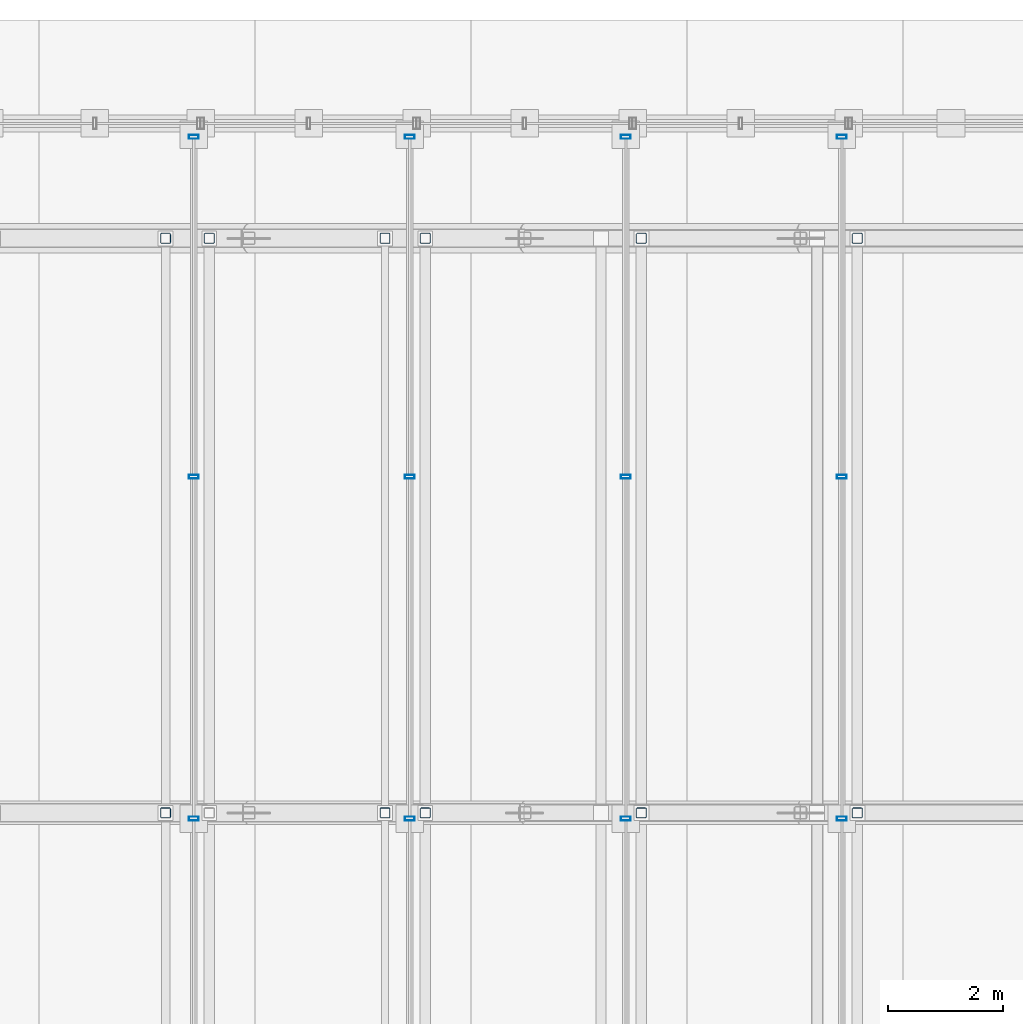
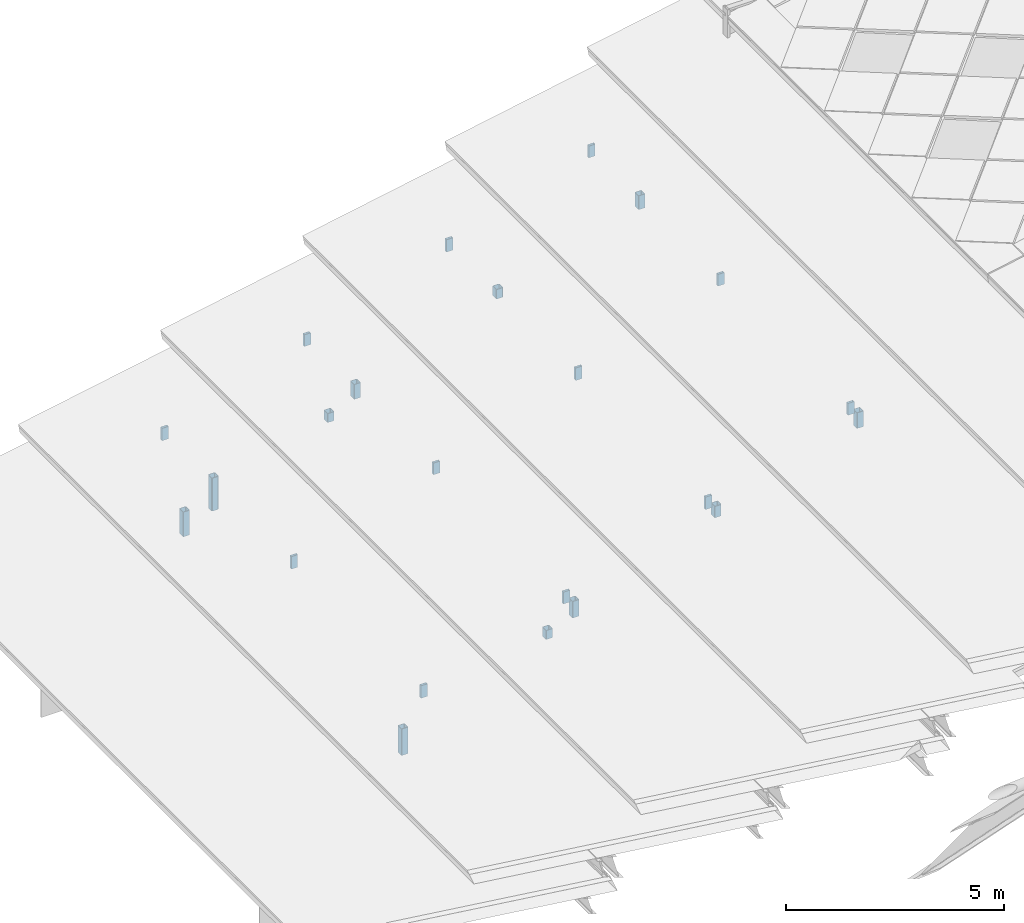
# One storey, part 73 of 117: 23 members, 4 elements without a shape of their own.
"""IFC4 building model written with IfcOpenShell, lengths in metres."""

from ifc_helpers import new_model, si_unit, direction, frame, origin, origin_2d, place, context, subcontext, project, spatial, hollow_rectangle, extrude, material, material_profile, profile_set, type_object, element, aggregate, save


model = new_model("IFC4")

# Units and contexts
model_context = context("Model", 3, precision=1e-05, world=origin(), true_north=direction((0.0, 1.0)))
body_context = subcontext(model_context, "Body", "Model", "MODEL_VIEW")
ifc_project = project(units=[si_unit("LENGTHUNIT", "METRE"), si_unit("AREAUNIT", "SQUARE_METRE"), si_unit("VOLUMEUNIT", "CUBIC_METRE"), si_unit("PLANEANGLEUNIT", "RADIAN"), si_unit("MASSUNIT", "GRAM", prefix="KILO")], contexts=[model_context])

# Site, building, storey
site_placement = place(None, origin())
site = spatial("IfcSite", under=ifc_project, at=site_placement, CompositionType="ELEMENT")
building_placement = place(site_placement, origin())
building = spatial("IfcBuilding", under=site, at=building_placement, Name="Merenkruunu Market Hall", CompositionType="ELEMENT")
storey_placement = place(building_placement, frame((0.0, 0.0, 22.800048828125)))
storey = spatial("IfcBuildingStorey", under=building, at=storey_placement, Name="RF", CompositionType="ELEMENT", Elevation=22.800048828125)

# Curtain wall, members
ifc_material_1 = material(Name="Powder-coated aluminium", Category="aluminium")
curtain_wall_type = type_object("IfcCurtainWallType", Name="Clerestory Curtain Band CL05", PredefinedType="USERDEFINED", material=ifc_material_1)
curtain_wall_1_placement = place(storey_placement, origin())
curtain_wall_1 = element("IfcCurtainWall", 1, at=curtain_wall_1_placement, inside=storey, type_object=curtain_wall_type, Name="CW-RF-CWM04-087", ObjectType="CLERESTORY_BAND", PredefinedType="USERDEFINED")
ifc_material_profile_1 = material_profile(ifc_material_1, hollow_rectangle(XDim=0.070068359375, YDim=0.169921875, WallThickness=0.0048828125, at=origin_2d()), Name="ALU 70x170x5")
ifc_profile_set_1 = profile_set([ifc_material_profile_1], Name="Powder-coated aluminium")
member_type_1 = type_object("IfcMemberType", Name="Curtain Wall Mullion CWM04", PredefinedType="MULLION", material=ifc_profile_set_1)
member_1_placement = place(storey_placement, frame((3.840087890625, 99.5, -6.52197265625), z_axis=(0.0, 0.0, 1.0), x_axis=(0.0, 1.0, 0.0)))
member_1 = element("IfcMember", 2, at=member_1_placement, type_object=member_type_1, Name="CL05 mullion 3", PredefinedType="MULLION", context=body_context, shape_type="SweptSolid", body=[
    extrude(hollow_rectangle(XDim=0.070068359375, YDim=0.169921875, WallThickness=0.0048828125, at=origin_2d()), origin(), (0.0, 0.0, 1.0), 0.347900390625),
])
member_2_placement = place(storey_placement, frame((3.840087890625, 105.449951171875, -6.52197265625), z_axis=(0.0, 0.0, 1.0), x_axis=(0.0, 1.0, 0.0)))
member_2 = element("IfcMember", 3, at=member_2_placement, type_object=member_type_1, Name="CL05 mullion 4", PredefinedType="MULLION", context=body_context, shape_type="SweptSolid", body=[
    extrude(hollow_rectangle(XDim=0.070068359375, YDim=0.169921875, WallThickness=0.0048828125, at=origin_2d()), origin(), (0.0, 0.0, 1.0), 0.347900390625),
])
member_3_placement = place(storey_placement, frame((3.840087890625, 111.364990234375, -6.52197265625), z_axis=(0.0, 0.0, 1.0), x_axis=(0.0, 1.0, 0.0)))
member_3 = element("IfcMember", 4, at=member_3_placement, type_object=member_type_1, Name="CL05 mullion 5", PredefinedType="MULLION", context=body_context, shape_type="SweptSolid", body=[
    extrude(hollow_rectangle(XDim=0.070068359375, YDim=0.169921875, WallThickness=0.0048828125, at=origin_2d()), origin(), (0.0, 0.0, 1.0), 0.347900390625),
])
aggregate(curtain_wall_1, [member_1, member_2, member_3])

curtain_wall_2_placement = place(storey_placement, origin())
curtain_wall_2 = element("IfcCurtainWall", 5, at=curtain_wall_2_placement, inside=storey, type_object=curtain_wall_type, Name="CW-RF-CWM04-095", ObjectType="CLERESTORY_BAND", PredefinedType="USERDEFINED")
member_4_placement = place(storey_placement, frame((7.60009765625, 99.5, -5.2021484375), z_axis=(0.0, 0.0, 1.0), x_axis=(0.0, 1.0, 0.0)))
member_4 = element("IfcMember", 6, at=member_4_placement, type_object=member_type_1, Name="CL05 mullion 3", PredefinedType="MULLION", context=body_context, shape_type="SweptSolid", body=[
    extrude(hollow_rectangle(XDim=0.070068359375, YDim=0.169921875, WallThickness=0.0048828125, at=origin_2d()), origin(), (0.0, 0.0, 1.0), 0.3271484375),
])
member_5_placement = place(storey_placement, frame((7.60009765625, 105.449951171875, -5.2021484375), z_axis=(0.0, 0.0, 1.0), x_axis=(0.0, 1.0, 0.0)))
member_5 = element("IfcMember", 7, at=member_5_placement, type_object=member_type_1, Name="CL05 mullion 4", PredefinedType="MULLION", context=body_context, shape_type="SweptSolid", body=[
    extrude(hollow_rectangle(XDim=0.070068359375, YDim=0.169921875, WallThickness=0.0048828125, at=origin_2d()), origin(), (0.0, 0.0, 1.0), 0.3271484375),
])
member_6_placement = place(storey_placement, frame((7.60009765625, 111.364990234375, -5.2021484375), z_axis=(0.0, 0.0, 1.0), x_axis=(0.0, 1.0, 0.0)))
member_6 = element("IfcMember", 8, at=member_6_placement, type_object=member_type_1, Name="CL05 mullion 5", PredefinedType="MULLION", context=body_context, shape_type="SweptSolid", body=[
    extrude(hollow_rectangle(XDim=0.070068359375, YDim=0.169921875, WallThickness=0.0048828125, at=origin_2d()), origin(), (0.0, 0.0, 1.0), 0.3271484375),
])
aggregate(curtain_wall_2, [member_4, member_5, member_6])

curtain_wall_3_placement = place(storey_placement, origin())
curtain_wall_3 = element("IfcCurtainWall", 9, at=curtain_wall_3_placement, inside=storey, type_object=curtain_wall_type, Name="CW-RF-CWM04-103", ObjectType="CLERESTORY_BAND", PredefinedType="USERDEFINED")
member_7_placement = place(storey_placement, frame((11.360107421875, 99.5, -3.882080078125), z_axis=(0.0, 0.0, 1.0), x_axis=(0.0, 1.0, 0.0)))
member_7 = element("IfcMember", 10, at=member_7_placement, type_object=member_type_1, Name="CL05 mullion 3", PredefinedType="MULLION", context=body_context, shape_type="SweptSolid", body=[
    extrude(hollow_rectangle(XDim=0.070068359375, YDim=0.169921875, WallThickness=0.0048828125, at=origin_2d()), origin(), (0.0, 0.0, 1.0), 0.34814453125),
])
member_8_placement = place(storey_placement, frame((11.360107421875, 105.449951171875, -3.882080078125), z_axis=(0.0, 0.0, 1.0), x_axis=(0.0, 1.0, 0.0)))
member_8 = element("IfcMember", 11, at=member_8_placement, type_object=member_type_1, Name="CL05 mullion 4", PredefinedType="MULLION", context=body_context, shape_type="SweptSolid", body=[
    extrude(hollow_rectangle(XDim=0.070068359375, YDim=0.169921875, WallThickness=0.0048828125, at=origin_2d()), origin(), (0.0, 0.0, 1.0), 0.34814453125),
])
member_9_placement = place(storey_placement, frame((11.360107421875, 111.364990234375, -3.882080078125), z_axis=(0.0, 0.0, 1.0), x_axis=(0.0, 1.0, 0.0)))
member_9 = element("IfcMember", 12, at=member_9_placement, type_object=member_type_1, Name="CL05 mullion 5", PredefinedType="MULLION", context=body_context, shape_type="SweptSolid", body=[
    extrude(hollow_rectangle(XDim=0.070068359375, YDim=0.169921875, WallThickness=0.0048828125, at=origin_2d()), origin(), (0.0, 0.0, 1.0), 0.34814453125),
])
aggregate(curtain_wall_3, [member_7, member_8, member_9])

curtain_wall_4_placement = place(storey_placement, origin())
curtain_wall_4 = element("IfcCurtainWall", 13, at=curtain_wall_4_placement, inside=storey, type_object=curtain_wall_type, Name="CW-RF-CWM04-111", ObjectType="CLERESTORY_BAND", PredefinedType="USERDEFINED")
member_10_placement = place(storey_placement, frame((15.1201171875, 99.5, -2.56201171875), z_axis=(0.0, 0.0, 1.0), x_axis=(0.0, 1.0, 0.0)))
member_10 = element("IfcMember", 14, at=member_10_placement, type_object=member_type_1, Name="CL05 mullion 3", PredefinedType="MULLION", context=body_context, shape_type="SweptSolid", body=[
    extrude(hollow_rectangle(XDim=0.070068359375, YDim=0.169921875, WallThickness=0.0048828125, at=origin_2d()), origin(), (0.0, 0.0, 1.0), 0.326904296875),
])
member_11_placement = place(storey_placement, frame((15.1201171875, 105.449951171875, -2.56201171875), z_axis=(0.0, 0.0, 1.0), x_axis=(0.0, 1.0, 0.0)))
member_11 = element("IfcMember", 15, at=member_11_placement, type_object=member_type_1, Name="CL05 mullion 4", PredefinedType="MULLION", context=body_context, shape_type="SweptSolid", body=[
    extrude(hollow_rectangle(XDim=0.070068359375, YDim=0.169921875, WallThickness=0.0048828125, at=origin_2d()), origin(), (0.0, 0.0, 1.0), 0.326904296875),
])
member_12_placement = place(storey_placement, frame((15.1201171875, 111.364990234375, -2.56201171875), z_axis=(0.0, 0.0, 1.0), x_axis=(0.0, 1.0, 0.0)))
member_12 = element("IfcMember", 16, at=member_12_placement, type_object=member_type_1, Name="CL05 mullion 5", PredefinedType="MULLION", context=body_context, shape_type="SweptSolid", body=[
    extrude(hollow_rectangle(XDim=0.070068359375, YDim=0.169921875, WallThickness=0.0048828125, at=origin_2d()), origin(), (0.0, 0.0, 1.0), 0.326904296875),
])
aggregate(curtain_wall_4, [member_10, member_11, member_12])

# Members
ifc_material_2 = material(Name="Steel S355J2", Category="steel")
ifc_material_profile_2 = material_profile(ifc_material_2, hollow_rectangle(XDim=0.179931640625, YDim=0.179931640625, WallThickness=0.010009765625, InnerFilletRadius=0.010009765625, OuterFilletRadius=0.02001953125, at=origin_2d()), Name="SHS 180x180x10")
ifc_profile_set_2 = profile_set([ifc_material_profile_2], Name="Steel S355J2")
member_type_2 = type_object("IfcMemberType", Name="Diagonal Sway Brace BR05", PredefinedType="BRACE", material=ifc_profile_set_2)
member_13_placement = place(storey_placement, frame((3.35009765625, 99.60009765625, -7.98095703125), z_axis=(0.0, 0.0, 1.0), x_axis=(1.0, 0.0, 0.0)))
element("IfcMember", 17, at=member_13_placement, inside=storey, type_object=member_type_2, Name="TRUSS-AT-8-RISER-W1-2", PredefinedType="BRACE", context=body_context, shape_type="SweptSolid", body=[
    extrude(hollow_rectangle(XDim=0.179931640625, YDim=0.179931640625, WallThickness=0.010009765625, InnerFilletRadius=0.010009765625, OuterFilletRadius=0.02001953125, at=origin_2d()), origin(), (0.0, 0.0, 1.0), 0.741455078125),
])
member_14_placement = place(storey_placement, frame((7.169921875, 99.60009765625, -6.075439453125), z_axis=(0.0, 0.0, 1.0), x_axis=(1.0, 0.0, 0.0)))
element("IfcMember", 18, at=member_14_placement, inside=storey, type_object=member_type_2, Name="TRUSS-AT-8-RISER-W2-2", PredefinedType="BRACE", context=body_context, shape_type="SweptSolid", body=[
    extrude(hollow_rectangle(XDim=0.179931640625, YDim=0.179931640625, WallThickness=0.010009765625, InnerFilletRadius=0.010009765625, OuterFilletRadius=0.02001953125, at=origin_2d()), origin(), (0.0, 0.0, 1.0), 0.25),
])
member_15_placement = place(storey_placement, frame((7.8701171875, 99.60009765625, -5.720947265625), z_axis=(0.0, 0.0, 1.0), x_axis=(1.0, 0.0, 0.0)))
element("IfcMember", 19, at=member_15_placement, inside=storey, type_object=member_type_2, Name="TRUSS-AT-8-RISER-W3-1", PredefinedType="BRACE", context=body_context, shape_type="SweptSolid", body=[
    extrude(hollow_rectangle(XDim=0.179931640625, YDim=0.179931640625, WallThickness=0.010009765625, InnerFilletRadius=0.010009765625, OuterFilletRadius=0.02001953125, at=origin_2d()), origin(), (0.0, 0.0, 1.0), 0.462646484375),
])
member_16_placement = place(storey_placement, frame((11.6298828125, 99.60009765625, -4.23583984375), z_axis=(0.0, 0.0, 1.0), x_axis=(1.0, 0.0, 0.0)))
element("IfcMember", 20, at=member_16_placement, inside=storey, type_object=member_type_2, Name="TRUSS-AT-8-RISER-W4-1", PredefinedType="BRACE", context=body_context, shape_type="SweptSolid", body=[
    extrude(hollow_rectangle(XDim=0.179931640625, YDim=0.179931640625, WallThickness=0.010009765625, InnerFilletRadius=0.010009765625, OuterFilletRadius=0.02001953125, at=origin_2d()), origin(), (0.0, 0.0, 1.0), 0.31787109375),
])
member_17_placement = place(storey_placement, frame((15.389892578125, 99.60009765625, -3.053955078125), z_axis=(0.0, 0.0, 1.0), x_axis=(1.0, 0.0, 0.0)))
element("IfcMember", 21, at=member_17_placement, inside=storey, type_object=member_type_2, Name="TRUSS-AT-8-RISER-W5-1", PredefinedType="BRACE", context=body_context, shape_type="SweptSolid", body=[
    extrude(hollow_rectangle(XDim=0.179931640625, YDim=0.179931640625, WallThickness=0.010009765625, InnerFilletRadius=0.010009765625, OuterFilletRadius=0.02001953125, at=origin_2d()), origin(), (0.0, 0.0, 1.0), 0.435546875),
])
member_18_placement = place(storey_placement, frame((3.35009765625, 109.60009765625, -7.929931640625), z_axis=(0.0, 0.0, 1.0), x_axis=(1.0, 0.0, 0.0)))
element("IfcMember", 22, at=member_18_placement, inside=storey, type_object=member_type_2, Name="TRUSS-AT-G-RISER-W1-2", PredefinedType="BRACE", context=body_context, shape_type="SweptSolid", body=[
    extrude(hollow_rectangle(XDim=0.179931640625, YDim=0.179931640625, WallThickness=0.010009765625, InnerFilletRadius=0.010009765625, OuterFilletRadius=0.02001953125, at=origin_2d()), origin(), (0.0, 0.0, 1.0), 0.6904296875),
])
member_19_placement = place(storey_placement, frame((4.110107421875, 109.60009765625, -7.48095703125), z_axis=(0.0, 0.0, 1.0), x_axis=(1.0, 0.0, 0.0)))
element("IfcMember", 23, at=member_19_placement, inside=storey, type_object=member_type_2, Name="TRUSS-AT-G-RISER-W2-1", PredefinedType="BRACE", context=body_context, shape_type="SweptSolid", body=[
    extrude(hollow_rectangle(XDim=0.179931640625, YDim=0.179931640625, WallThickness=0.010009765625, InnerFilletRadius=0.010009765625, OuterFilletRadius=0.02001953125, at=origin_2d()), origin(), (0.0, 0.0, 1.0), 0.9228515625),
])
member_20_placement = place(storey_placement, frame((7.169921875, 109.60009765625, -6.075439453125), z_axis=(0.0, 0.0, 1.0), x_axis=(1.0, 0.0, 0.0)))
element("IfcMember", 24, at=member_20_placement, inside=storey, type_object=member_type_2, Name="TRUSS-AT-G-RISER-W2-2", PredefinedType="BRACE", context=body_context, shape_type="SweptSolid", body=[
    extrude(hollow_rectangle(XDim=0.179931640625, YDim=0.179931640625, WallThickness=0.010009765625, InnerFilletRadius=0.010009765625, OuterFilletRadius=0.02001953125, at=origin_2d()), origin(), (0.0, 0.0, 1.0), 0.25),
])
member_21_placement = place(storey_placement, frame((7.8701171875, 109.60009765625, -5.670166015625), z_axis=(0.0, 0.0, 1.0), x_axis=(1.0, 0.0, 0.0)))
element("IfcMember", 25, at=member_21_placement, inside=storey, type_object=member_type_2, Name="TRUSS-AT-G-RISER-W3-1", PredefinedType="BRACE", context=body_context, shape_type="SweptSolid", body=[
    extrude(hollow_rectangle(XDim=0.179931640625, YDim=0.179931640625, WallThickness=0.010009765625, InnerFilletRadius=0.010009765625, OuterFilletRadius=0.02001953125, at=origin_2d()), origin(), (0.0, 0.0, 1.0), 0.411865234375),
])
member_22_placement = place(storey_placement, frame((11.6298828125, 109.60009765625, -4.18505859375), z_axis=(0.0, 0.0, 1.0), x_axis=(1.0, 0.0, 0.0)))
element("IfcMember", 26, at=member_22_placement, inside=storey, type_object=member_type_2, Name="TRUSS-AT-G-RISER-W4-1", PredefinedType="BRACE", context=body_context, shape_type="SweptSolid", body=[
    extrude(hollow_rectangle(XDim=0.179931640625, YDim=0.179931640625, WallThickness=0.010009765625, InnerFilletRadius=0.010009765625, OuterFilletRadius=0.02001953125, at=origin_2d()), origin(), (0.0, 0.0, 1.0), 0.26708984375),
])
member_23_placement = place(storey_placement, frame((15.389892578125, 109.60009765625, -3.0029296875), z_axis=(0.0, 0.0, 1.0), x_axis=(1.0, 0.0, 0.0)))
element("IfcMember", 27, at=member_23_placement, inside=storey, type_object=member_type_2, Name="TRUSS-AT-G-RISER-W5-1", PredefinedType="BRACE", context=body_context, shape_type="SweptSolid", body=[
    extrude(hollow_rectangle(XDim=0.179931640625, YDim=0.179931640625, WallThickness=0.010009765625, InnerFilletRadius=0.010009765625, OuterFilletRadius=0.02001953125, at=origin_2d()), origin(), (0.0, 0.0, 1.0), 0.384521484375),
])

save(model, "model.ifc")
